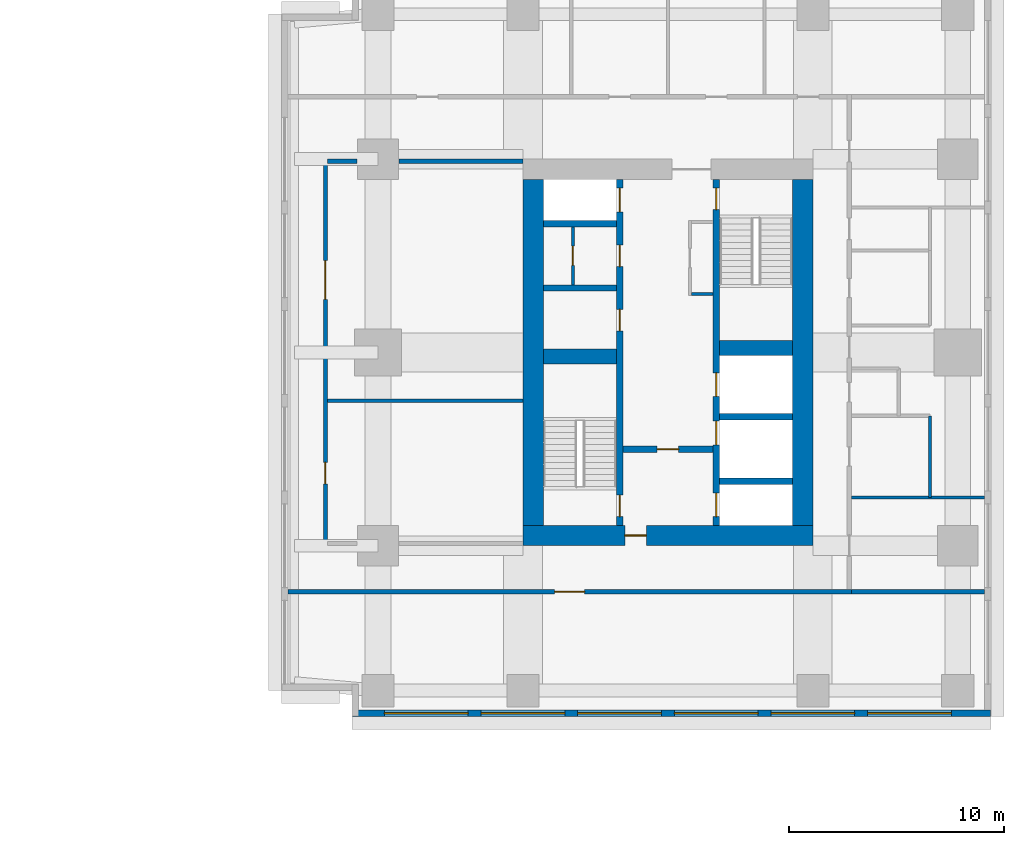
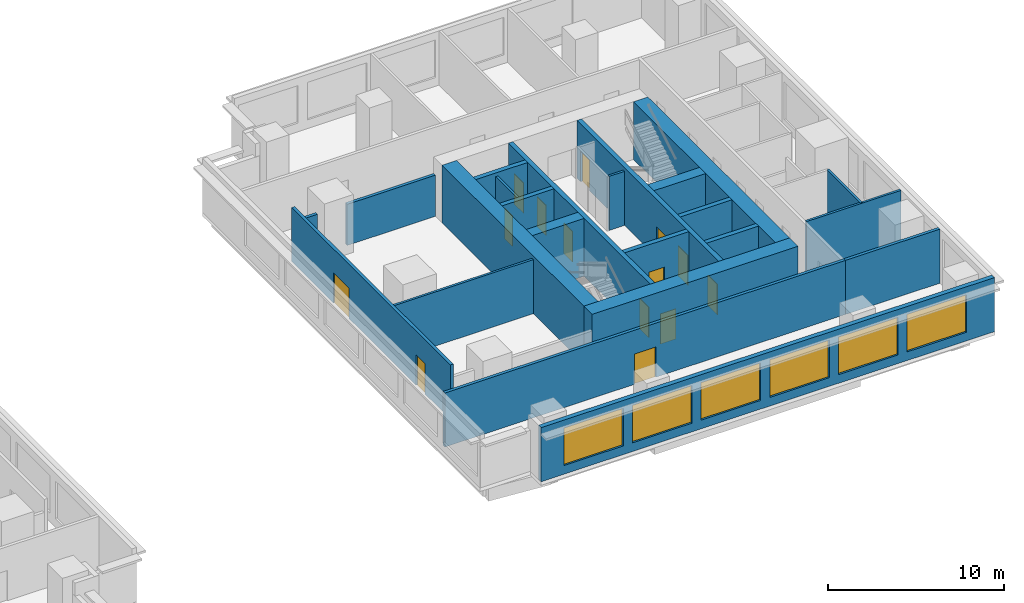
# One storey, part 6 of 10: 23 walls, 14 doors, 6 windows, 20 openings.
"""IFC4 building model written with IfcOpenShell, lengths in metres."""

from ifc_helpers import new_model, si_unit, direction, frame, frame_2d, origin, place, context, subcontext, project, spatial, rectangle, extrude, material, layer, layer_set, type_object, element, fill, save


model = new_model("IFC4")

# Units and contexts
model_context = context("Model", 3, precision=1e-05, world=origin(), true_north=direction((0.0, 1.0)))
body_context = subcontext(model_context, "Body", "Model", "MODEL_VIEW")
ifc_project = project(units=[si_unit("LENGTHUNIT", "METRE"), si_unit("AREAUNIT", "SQUARE_METRE"), si_unit("VOLUMEUNIT", "CUBIC_METRE"), si_unit("PLANEANGLEUNIT", "RADIAN"), si_unit("MASSUNIT", "GRAM", prefix="KILO")], contexts=[model_context])

# Site, building, storey
site_placement = place(None, origin())
site = spatial("IfcSite", under=ifc_project, at=site_placement, CompositionType="ELEMENT")
building_placement = place(site_placement, origin())
building = spatial("IfcBuilding", under=site, at=building_placement, Name="Namib Vertical Campus", CompositionType="ELEMENT")
storey_placement = place(building_placement, frame((0.0, 0.0, 161.0)))
storey = spatial("IfcBuildingStorey", under=building, at=storey_placement, Name="L38", CompositionType="ELEMENT", Elevation=161.0)

# Wall, openings, doors
ifc_material_1 = material(Name="Concrete C60/75", Category="concrete")
ifc_layer_1 = layer(ifc_material_1, 0.300048828125)
ifc_layer_set_1 = layer_set([ifc_layer_1], Name="Concrete C60/75")
wall_type_1 = type_object("IfcWallType", Name="Core inner wall 300", PredefinedType="SHEAR", material=ifc_layer_set_1)
wall_1_placement = place(storey_placement, frame((78.75, 12.199951171875, 0.0), z_axis=(0.0, 0.0, 1.0), x_axis=(0.0, 1.0, 0.0)))
wall_1 = element("IfcWall", 1, at=wall_1_placement, inside=storey, type_object=wall_type_1, Name="Core inner wall B L38 W1", PredefinedType="SHEAR", context=body_context, shape_type="SweptSolid", body=[
    extrude(rectangle(XDim=16.10009765625, YDim=0.300048828125, at=frame_2d((8.050048828125, 0.0))), origin(), (0.0, 0.0, 1.0), 4.0),
])
opening_1_placement = place(wall_1_placement, frame((0.39990234375, 0.0, 0.0)))
opening_1 = element("IfcOpeningElement", 2, at=opening_1_placement, cuts=wall_1, Name="Opening FD1", PredefinedType="OPENING", context=body_context, shape_type="SweptSolid", body=[
    extrude(rectangle(XDim=1.0, YDim=2.10009765625, at=frame_2d((0.5, 1.050048828125))), frame((0.0, 0.159912109375, 0.0), z_axis=(0.0, -1.0, 0.0), x_axis=(1.0, 0.0, 0.0)), (0.0, 0.0, 1.0), 0.320068359375),
])
opening_2_placement = place(wall_1_placement, frame((14.60009765625, 0.0, 0.0)))
opening_2 = element("IfcOpeningElement", 3, at=opening_2_placement, cuts=wall_1, Name="Opening LD1", PredefinedType="OPENING", context=body_context, shape_type="SweptSolid", body=[
    extrude(rectangle(XDim=1.10009765625, YDim=2.10009765625, at=frame_2d((0.550048828125, 1.050048828125))), frame((0.0, 0.159912109375, 0.0), z_axis=(0.0, -1.0, 0.0), x_axis=(1.0, 0.0, 0.0)), (0.0, 0.0, 1.0), 0.320068359375),
])
opening_3_placement = place(wall_1_placement, frame((9.050048828125, 0.0, 0.0)))
opening_3 = element("IfcOpeningElement", 4, at=opening_3_placement, cuts=wall_1, Name="Opening D1", PredefinedType="OPENING", context=body_context, shape_type="SweptSolid", body=[
    extrude(rectangle(XDim=1.0, YDim=2.10009765625, at=frame_2d((0.5, 1.050048828125))), frame((0.0, 0.159912109375, 0.0), z_axis=(0.0, -1.0, 0.0), x_axis=(1.0, 0.0, 0.0)), (0.0, 0.0, 1.0), 0.320068359375),
])
opening_4_placement = place(wall_1_placement, frame((12.050048828125, 0.0, 0.0)))
opening_4 = element("IfcOpeningElement", 5, at=opening_4_placement, cuts=wall_1, Name="Opening D1", PredefinedType="OPENING", context=body_context, shape_type="SweptSolid", body=[
    extrude(rectangle(XDim=1.0, YDim=2.10009765625, at=frame_2d((0.5, 1.050048828125))), frame((0.0, 0.159912109375, 0.0), z_axis=(0.0, -1.0, 0.0), x_axis=(1.0, 0.0, 0.0)), (0.0, 0.0, 1.0), 0.320068359375),
])
ifc_material_2 = material(Name="Timber door leaf", Category="wood")
door_type_1 = type_object("IfcDoorType", Name="Door single 1000x2100", OperationType="SINGLE_SWING_LEFT", PredefinedType="DOOR", material=ifc_material_2)
door_1_placement = place(opening_3_placement, origin())
door_1 = element("IfcDoor", 6, at=door_1_placement, inside=storey, type_object=door_type_1, Name="Door D1 Staff pantry B L38 P1", OperationType="SINGLE_SWING_LEFT", OverallHeight=2.10009765625, OverallWidth=1.0, PredefinedType="DOOR", context=body_context, shape_type="SweptSolid", body=[
    extrude(rectangle(XDim=1.0, YDim=2.10009765625, at=frame_2d((0.5, 1.050048828125))), frame((0.0, 0.02490234375, 0.0), z_axis=(0.0, -1.0, 0.0), x_axis=(1.0, 0.0, 0.0)), (0.0, 0.0, 1.0), 0.050048828125),
])
fill(opening_3, door_1)
door_2_placement = place(opening_4_placement, origin())
door_2 = element("IfcDoor", 7, at=door_2_placement, inside=storey, type_object=door_type_1, Name="Door D1 Records store B L38 P2", OperationType="SINGLE_SWING_LEFT", OverallHeight=2.10009765625, OverallWidth=1.0, PredefinedType="DOOR", context=body_context, shape_type="SweptSolid", body=[
    extrude(rectangle(XDim=1.0, YDim=2.10009765625, at=frame_2d((0.5, 1.050048828125))), frame((0.0, 0.02490234375, 0.0), z_axis=(0.0, -1.0, 0.0), x_axis=(1.0, 0.0, 0.0)), (0.0, 0.0, 1.0), 0.050048828125),
])
fill(opening_4, door_2)
ifc_material_3 = material(Name="Steel fire door", Category="steel")
door_type_2 = type_object("IfcDoorType", Name="Fire door 1000x2100", OperationType="SINGLE_SWING_RIGHT", PredefinedType="DOOR", material=ifc_material_3)
door_3_placement = place(opening_1_placement, origin())
door_3 = element("IfcDoor", 8, at=door_3_placement, inside=storey, type_object=door_type_2, Name="Stair door FD1 B L38 S1", OperationType="SINGLE_SWING_LEFT", OverallHeight=2.10009765625, OverallWidth=1.0, PredefinedType="DOOR", context=body_context, shape_type="SweptSolid", body=[
    extrude(rectangle(XDim=1.0, YDim=2.10009765625, at=frame_2d((0.5, 1.050048828125))), frame((0.0, 0.02490234375, 0.0), z_axis=(0.0, -1.0, 0.0), x_axis=(1.0, 0.0, 0.0)), (0.0, 0.0, 1.0), 0.050048828125),
])
fill(opening_1, door_3)
ifc_material_4 = material(Name="Stainless steel lift door", Category="steel")
door_type_3 = type_object("IfcDoorType", Name="Lift landing door 1100x2100", OperationType="DOUBLE_DOOR_SLIDING", PredefinedType="DOOR", material=ifc_material_4)
door_4_placement = place(opening_2_placement, origin())
door_4 = element("IfcDoor", 9, at=door_4_placement, inside=storey, type_object=door_type_3, Name="Lift landing door LD1 B-P3 L38", OperationType="DOUBLE_DOOR_SLIDING", OverallHeight=2.10009765625, OverallWidth=1.10009765625, PredefinedType="DOOR", context=body_context, shape_type="SweptSolid", body=[
    extrude(rectangle(XDim=1.10009765625, YDim=2.10009765625, at=frame_2d((0.550048828125, 1.050048828125))), frame((0.0, 0.02490234375, 0.0), z_axis=(0.0, -1.0, 0.0), x_axis=(1.0, 0.0, 0.0)), (0.0, 0.0, 1.0), 0.050048828125),
])
fill(opening_2, door_4)

wall_2_placement = place(storey_placement, frame((83.25, 12.199951171875, 0.0), z_axis=(0.0, 0.0, 1.0), x_axis=(0.0, 1.0, 0.0)))
wall_2 = element("IfcWall", 10, at=wall_2_placement, inside=storey, type_object=wall_type_1, Name="Core inner wall B L38 W2", PredefinedType="SHEAR", context=body_context, shape_type="SweptSolid", body=[
    extrude(rectangle(XDim=16.10009765625, YDim=0.300048828125, at=frame_2d((8.050048828125, 0.0))), origin(), (0.0, 0.0, 1.0), 4.0),
])
opening_5_placement = place(wall_2_placement, frame((14.699951171875, 0.0, 0.0)))
opening_5 = element("IfcOpeningElement", 11, at=opening_5_placement, cuts=wall_2, Name="Opening FD1", PredefinedType="OPENING", context=body_context, shape_type="SweptSolid", body=[
    extrude(rectangle(XDim=1.0, YDim=2.10009765625, at=frame_2d((0.5, 1.050048828125))), frame((0.0, 0.159912109375, 0.0), z_axis=(0.0, -1.0, 0.0), x_axis=(1.0, 0.0, 0.0)), (0.0, 0.0, 1.0), 0.320068359375),
])
opening_6_placement = place(wall_2_placement, frame((0.39990234375, 0.0, 0.0)))
opening_6 = element("IfcOpeningElement", 12, at=opening_6_placement, cuts=wall_2, Name="Opening LD1", PredefinedType="OPENING", context=body_context, shape_type="SweptSolid", body=[
    extrude(rectangle(XDim=1.10009765625, YDim=2.10009765625, at=frame_2d((0.550048828125, 1.050048828125))), frame((0.0, 0.159912109375, 0.0), z_axis=(0.0, -1.0, 0.0), x_axis=(1.0, 0.0, 0.0)), (0.0, 0.0, 1.0), 0.320068359375),
])
opening_7_placement = place(wall_2_placement, frame((3.75, 0.0, 0.0)))
opening_7 = element("IfcOpeningElement", 13, at=opening_7_placement, cuts=wall_2, Name="Opening LD1", PredefinedType="OPENING", context=body_context, shape_type="SweptSolid", body=[
    extrude(rectangle(XDim=1.10009765625, YDim=2.10009765625, at=frame_2d((0.550048828125, 1.050048828125))), frame((0.0, 0.159912109375, 0.0), z_axis=(0.0, -1.0, 0.0), x_axis=(1.0, 0.0, 0.0)), (0.0, 0.0, 1.0), 0.320068359375),
])
opening_8_placement = place(wall_2_placement, frame((6.0, 0.0, 0.0)))
opening_8 = element("IfcOpeningElement", 14, at=opening_8_placement, cuts=wall_2, Name="Opening LD1", PredefinedType="OPENING", context=body_context, shape_type="SweptSolid", body=[
    extrude(rectangle(XDim=1.10009765625, YDim=2.10009765625, at=frame_2d((0.550048828125, 1.050048828125))), frame((0.0, 0.159912109375, 0.0), z_axis=(0.0, -1.0, 0.0), x_axis=(1.0, 0.0, 0.0)), (0.0, 0.0, 1.0), 0.320068359375),
])
door_5_placement = place(opening_5_placement, frame((1.0, 0.0, 0.0), z_axis=(0.0, 0.0, 1.0), x_axis=(-1.0, 0.0, 0.0)))
door_5 = element("IfcDoor", 15, at=door_5_placement, inside=storey, type_object=door_type_2, Name="Stair door FD1 B L38 S2", OperationType="SINGLE_SWING_LEFT", OverallHeight=2.10009765625, OverallWidth=1.0, PredefinedType="DOOR", context=body_context, shape_type="SweptSolid", body=[
    extrude(rectangle(XDim=1.0, YDim=2.10009765625, at=frame_2d((0.5, 1.050048828125))), frame((0.0, 0.02490234375, 0.0), z_axis=(0.0, -1.0, 0.0), x_axis=(1.0, 0.0, 0.0)), (0.0, 0.0, 1.0), 0.050048828125),
])
fill(opening_5, door_5)
door_6_placement = place(opening_6_placement, origin())
door_6 = element("IfcDoor", 16, at=door_6_placement, inside=storey, type_object=door_type_3, Name="Lift landing door LD1 B-FL1 L38", OperationType="DOUBLE_DOOR_SLIDING", OverallHeight=2.10009765625, OverallWidth=1.10009765625, PredefinedType="DOOR", context=body_context, shape_type="SweptSolid", body=[
    extrude(rectangle(XDim=1.10009765625, YDim=2.10009765625, at=frame_2d((0.550048828125, 1.050048828125))), frame((0.0, 0.02490234375, 0.0), z_axis=(0.0, -1.0, 0.0), x_axis=(1.0, 0.0, 0.0)), (0.0, 0.0, 1.0), 0.050048828125),
])
fill(opening_6, door_6)
door_7_placement = place(opening_7_placement, origin())
door_7 = element("IfcDoor", 17, at=door_7_placement, inside=storey, type_object=door_type_3, Name="Lift landing door LD1 B-P4 L38", OperationType="DOUBLE_DOOR_SLIDING", OverallHeight=2.10009765625, OverallWidth=1.10009765625, PredefinedType="DOOR", context=body_context, shape_type="SweptSolid", body=[
    extrude(rectangle(XDim=1.10009765625, YDim=2.10009765625, at=frame_2d((0.550048828125, 1.050048828125))), frame((0.0, 0.02490234375, 0.0), z_axis=(0.0, -1.0, 0.0), x_axis=(1.0, 0.0, 0.0)), (0.0, 0.0, 1.0), 0.050048828125),
])
fill(opening_7, door_7)
door_8_placement = place(opening_8_placement, origin())
door_8 = element("IfcDoor", 18, at=door_8_placement, inside=storey, type_object=door_type_3, Name="Lift landing door LD1 B-P5 L38", OperationType="DOUBLE_DOOR_SLIDING", OverallHeight=2.10009765625, OverallWidth=1.10009765625, PredefinedType="DOOR", context=body_context, shape_type="SweptSolid", body=[
    extrude(rectangle(XDim=1.10009765625, YDim=2.10009765625, at=frame_2d((0.550048828125, 1.050048828125))), frame((0.0, 0.02490234375, 0.0), z_axis=(0.0, -1.0, 0.0), x_axis=(1.0, 0.0, 0.0)), (0.0, 0.0, 1.0), 0.050048828125),
])
fill(opening_8, door_8)

# Wall, opening, door
wall_3_placement = place(storey_placement, frame((78.89990234375, 15.75, 0.0), z_axis=(0.0, 0.0, 1.0), x_axis=(1.0, 0.0, 0.0)))
wall_3 = element("IfcWall", 19, at=wall_3_placement, inside=storey, type_object=wall_type_1, Name="Core inner wall B L38 W4", PredefinedType="SHEAR", context=body_context, shape_type="SweptSolid", body=[
    extrude(rectangle(XDim=4.2001953125, YDim=0.300048828125, at=frame_2d((2.10009765625, 0.0))), origin(), (0.0, 0.0, 1.0), 4.0),
])
opening_9_placement = place(wall_3_placement, frame((1.60009765625, 0.0, 0.0)))
opening_9 = element("IfcOpeningElement", 20, at=opening_9_placement, cuts=wall_3, Name="Opening FD5", PredefinedType="OPENING", context=body_context, shape_type="SweptSolid", body=[
    extrude(rectangle(XDim=1.0, YDim=2.10009765625, at=frame_2d((0.5, 1.050048828125))), frame((0.0, 0.159912109375, 0.0), z_axis=(0.0, -1.0, 0.0), x_axis=(1.0, 0.0, 0.0)), (0.0, 0.0, 1.0), 0.320068359375),
])
ifc_material_5 = material(Name="Steel fire door", Category="steel")
door_type_4 = type_object("IfcDoorType", Name="Fire door 1000x2100 120 min", OperationType="SINGLE_SWING_RIGHT", PredefinedType="DOOR", material=ifc_material_5)
door_9_placement = place(opening_9_placement, frame((1.0, 0.0, 0.0), z_axis=(0.0, 0.0, 1.0), x_axis=(-1.0, 0.0, 0.0)))
door_9 = element("IfcDoor", 21, at=door_9_placement, inside=storey, type_object=door_type_4, Name="Lobby door FD5 B L38", OperationType="SINGLE_SWING_RIGHT", OverallHeight=2.10009765625, OverallWidth=1.0, PredefinedType="DOOR", context=body_context, shape_type="SweptSolid", body=[
    extrude(rectangle(XDim=1.0, YDim=2.10009765625, at=frame_2d((0.5, 1.050048828125))), frame((0.0, 0.02490234375, 0.0), z_axis=(0.0, -1.0, 0.0), x_axis=(1.0, 0.0, 0.0)), (0.0, 0.0, 1.0), 0.050048828125),
])
fill(opening_9, door_9)

# Walls
for number, where, z_axis, x_axis, name in (
    (22, (83.39990234375, 14.25, 0.0), (0.0, 0.0, 1.0), (1.0, 0.0, 0.0), "Core inner wall B L38 W5"),
    (23, (83.39990234375, 17.25, 0.0), (0.0, 0.0, 1.0), (1.0, 0.0, 0.0), "Core inner wall B L38 W6"),
    (24, (75.199951171875, 23.25, 0.0), (0.0, 0.0, 1.0), (1.0, 0.0, 0.0), "Core inner wall B L38 W8"),
    (25, (75.199951171875, 26.25, 0.0), (0.0, 0.0, 1.0), (1.0, 0.0, 0.0), "Core inner wall B L38 W9"),
):
    element("IfcWall", number, at=place(storey_placement, frame(where, z_axis=z_axis, x_axis=x_axis)), inside=storey, type_object=wall_type_1, Name=name, PredefinedType="SHEAR", context=body_context, shape_type="SweptSolid", body=[
        extrude(rectangle(XDim=3.400146484375, YDim=0.300048828125, at=frame_2d((1.7001953125, 0.0))), origin(), (0.0, 0.0, 1.0), 4.0),
    ])
ifc_material_6 = material(Name="Concrete C60/75", Category="concrete")
ifc_layer_2 = layer(ifc_material_6, 0.699951171875)
ifc_layer_set_2 = layer_set([ifc_layer_2], Name="Concrete C60/75")
wall_type_2 = type_object("IfcWallType", Name="Core shear wall 700", PredefinedType="SHEAR", material=ifc_layer_set_2)
for number, where, z_axis, x_axis, name in (
    (26, (75.199951171875, 20.050048828125, 0.0), (0.0, 0.0, 1.0), (1.0, 0.0, 0.0), "Core shear wall B L38 W3"),
    (27, (83.39990234375, 20.449951171875, 0.0), (0.0, 0.0, 1.0), (1.0, 0.0, 0.0), "Core shear wall B L38 W7"),
):
    element("IfcWall", number, at=place(storey_placement, frame(where, z_axis=z_axis, x_axis=x_axis)), inside=storey, type_object=wall_type_2, Name=name, PredefinedType="SHEAR", context=body_context, shape_type="SweptSolid", body=[
        extrude(rectangle(XDim=3.400146484375, YDim=0.699951171875, at=frame_2d((1.7001953125, 0.0))), origin(), (0.0, 0.0, 1.0), 4.0),
    ])

# Wall, opening, door
ifc_material_7 = material(Name="Concrete C60/75", Category="concrete")
ifc_layer_3 = layer(ifc_material_7, 0.949951171875)
ifc_layer_set_3 = layer_set([ifc_layer_3], Name="Concrete C60/75")
wall_type_3 = type_object("IfcWallType", Name="Core wall 950", PredefinedType="SHEAR", material=ifc_layer_set_3)
wall_4_placement = place(storey_placement, frame((74.25, 11.72509765625, 0.0), z_axis=(0.0, 0.0, 1.0), x_axis=(1.0, 0.0, 0.0)))
wall_4 = element("IfcWall", 28, at=wall_4_placement, inside=storey, type_object=wall_type_3, Name="Core wall B L38 1", PredefinedType="SHEAR", context=body_context, shape_type="SweptSolid", body=[
    extrude(rectangle(XDim=13.5, YDim=0.949951171875, at=frame_2d((6.75, 0.0))), origin(), (0.0, 0.0, 1.0), 4.0),
])
opening_10_placement = place(wall_4_placement, frame((4.75, 0.0, 0.0)))
opening_10 = element("IfcOpeningElement", 29, at=opening_10_placement, cuts=wall_4, Name="Opening FD5", PredefinedType="OPENING", context=body_context, shape_type="SweptSolid", body=[
    extrude(rectangle(XDim=1.0, YDim=2.10009765625, at=frame_2d((0.5, 1.050048828125))), frame((0.0, 0.48486328125, 0.0), z_axis=(0.0, -1.0, 0.0), x_axis=(1.0, 0.0, 0.0)), (0.0, 0.0, 1.0), 0.969970703125),
])
door_10_placement = place(opening_10_placement, origin())
door_10 = element("IfcDoor", 30, at=door_10_placement, inside=storey, type_object=door_type_4, Name="Firefighting lobby door FD5 B L38", OperationType="SINGLE_SWING_LEFT", OverallHeight=2.10009765625, OverallWidth=1.0, PredefinedType="DOOR", context=body_context, shape_type="SweptSolid", body=[
    extrude(rectangle(XDim=1.0, YDim=2.10009765625, at=frame_2d((0.5, 1.050048828125))), frame((0.0, 0.02490234375, 0.0), z_axis=(0.0, -1.0, 0.0), x_axis=(1.0, 0.0, 0.0)), (0.0, 0.0, 1.0), 0.050048828125),
])
fill(opening_10, door_10)

# Walls
for number, where, z_axis, x_axis, name in (
    (31, (87.27490234375, 12.199951171875, 0.0), (0.0, 0.0, 1.0), (0.0, 1.0, 0.0), "Core wall B L38 2"),
    (32, (74.72509765625, 28.300048828125, 0.0), (0.0, 0.0, 1.0), (0.0, -1.0, 0.0), "Core wall B L38 4"),
):
    element("IfcWall", number, at=place(storey_placement, frame(where, z_axis=z_axis, x_axis=x_axis)), inside=storey, type_object=wall_type_3, Name=name, PredefinedType="SHEAR", context=body_context, shape_type="SweptSolid", body=[
        extrude(rectangle(XDim=16.10009765625, YDim=0.949951171875, at=frame_2d((8.050048828125, 0.0))), origin(), (0.0, 0.0, 1.0), 4.0),
    ])

# Wall, opening, door
ifc_material_8 = material(Name="Concrete masonry", Category="masonry")
ifc_layer_4 = layer(ifc_material_8, 0.199951171875)
ifc_layer_set_4 = layer_set([ifc_layer_4], Name="Corridor wall 200")
wall_type_4 = type_object("IfcWallType", Name="Corridor wall 200", PredefinedType="SOLIDWALL", material=ifc_layer_set_4)
wall_5_placement = place(storey_placement, frame((63.300048828125, 9.10009765625, 0.0), z_axis=(0.0, 0.0, 1.0), x_axis=(1.0, 0.0, 0.0)))
wall_5 = element("IfcWall", 33, at=wall_5_placement, inside=storey, type_object=wall_type_4, Name="Corridor wall B L38 CS", PredefinedType="SOLIDWALL", context=body_context, shape_type="SweptSolid", body=[
    extrude(rectangle(XDim=26.25, YDim=0.199951171875, at=frame_2d((13.125, 0.0))), origin(), (0.0, 0.0, 1.0), 3.75),
])
opening_11_placement = place(wall_5_placement, frame((12.425048828125, 0.0, 0.0)))
opening_11 = element("IfcOpeningElement", 34, at=opening_11_placement, cuts=wall_5, Name="Opening LB1", PredefinedType="OPENING", context=body_context, shape_type="SweptSolid", body=[
    extrude(rectangle(XDim=1.39990234375, YDim=2.10009765625, at=frame_2d((0.699951171875, 1.050048828125))), frame((0.0, 0.10986328125, 0.0), z_axis=(0.0, -1.0, 0.0), x_axis=(1.0, 0.0, 0.0)), (0.0, 0.0, 1.0), 0.219970703125),
])
ifc_material_9 = material(Name="Timber fire door leaf", Category="wood")
door_type_5 = type_object("IfcDoorType", Name="Laboratory door 1400x2100 leaf and a half", OperationType="DOUBLE_DOOR_SINGLE_SWING", PredefinedType="DOOR", material=ifc_material_9)
door_11_placement = place(opening_11_placement, frame((1.39990234375, 0.0, 0.0), z_axis=(0.0, 0.0, 1.0), x_axis=(-1.0, 0.0, 0.0)))
door_11 = element("IfcDoor", 35, at=door_11_placement, inside=storey, type_object=door_type_5, Name="Door LB1 B38-01", OperationType="DOUBLE_DOOR_SINGLE_SWING", OverallHeight=2.10009765625, OverallWidth=1.39990234375, PredefinedType="DOOR", context=body_context, shape_type="SweptSolid", body=[
    extrude(rectangle(XDim=1.39990234375, YDim=2.10009765625, at=frame_2d((0.699951171875, 1.050048828125))), frame((0.0, 0.02490234375, 0.0), z_axis=(0.0, -1.0, 0.0), x_axis=(1.0, 0.0, 0.0)), (0.0, 0.0, 1.0), 0.050048828125),
])
fill(opening_11, door_11)

# Wall, openings, doors
wall_6_placement = place(storey_placement, frame((65.050048828125, 29.25, 0.0), z_axis=(0.0, 0.0, 1.0), x_axis=(0.0, -1.0, 0.0)))
wall_6 = element("IfcWall", 36, at=wall_6_placement, inside=storey, type_object=wall_type_4, Name="Corridor wall B L38 CG", PredefinedType="SOLIDWALL", context=body_context, shape_type="SweptSolid", body=[
    extrude(rectangle(XDim=18.0, YDim=0.199951171875, at=frame_2d((9.0, 0.0))), origin(), (0.0, 0.0, 1.0), 3.75),
])
opening_12_placement = place(wall_6_placement, frame((14.125, 0.0, 0.0)))
opening_12 = element("IfcOpeningElement", 37, at=opening_12_placement, cuts=wall_6, Name="Opening CD1", PredefinedType="OPENING", context=body_context, shape_type="SweptSolid", body=[
    extrude(rectangle(XDim=1.0, YDim=2.10009765625, at=frame_2d((0.5, 1.050048828125))), frame((0.0, 0.10986328125, 0.0), z_axis=(0.0, -1.0, 0.0), x_axis=(1.0, 0.0, 0.0)), (0.0, 0.0, 1.0), 0.219970703125),
])
opening_13_placement = place(wall_6_placement, frame((4.72509765625, 0.0, 0.0)))
opening_13 = element("IfcOpeningElement", 38, at=opening_13_placement, cuts=wall_6, Name="Opening CD2", PredefinedType="OPENING", context=body_context, shape_type="SweptSolid", body=[
    extrude(rectangle(XDim=1.800048828125, YDim=2.10009765625, at=frame_2d((0.89990234375, 1.050048828125))), frame((0.0, 0.10986328125, 0.0), z_axis=(0.0, -1.0, 0.0), x_axis=(1.0, 0.0, 0.0)), (0.0, 0.0, 1.0), 0.219970703125),
])
ifc_material_10 = material(Name="Timber fire door leaf", Category="wood")
door_type_6 = type_object("IfcDoorType", Name="Corridor door 1000x2100 20 min", OperationType="SINGLE_SWING_LEFT", PredefinedType="DOOR", material=ifc_material_10)
door_12_placement = place(opening_12_placement, origin())
door_12 = element("IfcDoor", 39, at=door_12_placement, inside=storey, type_object=door_type_6, Name="Door CD1 B38-13", OperationType="SINGLE_SWING_LEFT", OverallHeight=2.10009765625, OverallWidth=1.0, PredefinedType="DOOR", context=body_context, shape_type="SweptSolid", body=[
    extrude(rectangle(XDim=1.0, YDim=2.10009765625, at=frame_2d((0.5, 1.050048828125))), frame((0.0, 0.02490234375, 0.0), z_axis=(0.0, -1.0, 0.0), x_axis=(1.0, 0.0, 0.0)), (0.0, 0.0, 1.0), 0.050048828125),
])
fill(opening_12, door_12)
ifc_material_11 = material(Name="Timber fire door leaf", Category="wood")
door_type_7 = type_object("IfcDoorType", Name="Corridor door double 1800x2100 20 min", OperationType="DOUBLE_DOOR_SINGLE_SWING", PredefinedType="DOOR", material=ifc_material_11)
door_13_placement = place(opening_13_placement, origin())
door_13 = element("IfcDoor", 40, at=door_13_placement, inside=storey, type_object=door_type_7, Name="Door CD2 B38-14", OperationType="DOUBLE_DOOR_SINGLE_SWING", OverallHeight=2.10009765625, OverallWidth=1.800048828125, PredefinedType="DOOR", context=body_context, shape_type="SweptSolid", body=[
    extrude(rectangle(XDim=1.800048828125, YDim=2.10009765625, at=frame_2d((0.89990234375, 1.050048828125))), frame((0.0, 0.02490234375, 0.0), z_axis=(0.0, -1.0, 0.0), x_axis=(1.0, 0.0, 0.0)), (0.0, 0.0, 1.0), 0.050048828125),
])
fill(opening_13, door_13)

# Walls
wall_7_placement = place(storey_placement, frame((65.14990234375, 29.14990234375, 0.0), z_axis=(0.0, 0.0, 1.0), x_axis=(1.0, 0.0, 0.0)))
element("IfcWall", 41, at=wall_7_placement, inside=storey, type_object=wall_type_4, Name="Corridor wall B L38 GN", PredefinedType="SOLIDWALL", context=body_context, shape_type="SweptSolid", body=[
    extrude(rectangle(XDim=1.380126953125, YDim=0.199951171875, at=frame_2d((0.68994140625, 0.0))), origin(), (0.0, 0.0, 1.0), 2.85009765625),
])
wall_8_placement = place(storey_placement, frame((68.469970703125, 29.14990234375, 0.0), z_axis=(0.0, 0.0, 1.0), x_axis=(1.0, 0.0, 0.0)))
element("IfcWall", 42, at=wall_8_placement, inside=storey, type_object=wall_type_4, Name="Corridor wall B L38 GN", PredefinedType="SOLIDWALL", context=body_context, shape_type="SweptSolid", body=[
    extrude(rectangle(XDim=5.780029296875, YDim=0.199951171875, at=frame_2d((2.89013671875, 0.0))), origin(), (0.0, 0.0, 1.0), 2.85009765625),
])
wall_9_placement = place(storey_placement, frame((89.550048828125, 9.10009765625, 0.0), z_axis=(0.0, 0.0, 1.0), x_axis=(1.0, 0.0, 0.0)))
element("IfcWall", 43, at=wall_9_placement, inside=storey, type_object=wall_type_4, Name="Partition B L38 BSE", PredefinedType="SOLIDWALL", context=body_context, shape_type="SweptSolid", body=[
    extrude(rectangle(XDim=6.199951171875, YDim=0.199951171875, at=frame_2d((3.10009765625, 0.0))), origin(), (0.0, 0.0, 1.0), 3.75),
])

# Wall, openings, windows
ifc_material_12 = material(Name="Concrete C40/50", Category="concrete")
ifc_layer_5 = layer(ifc_material_12, 0.300048828125)
ifc_layer_set_5 = layer_set([ifc_layer_5], Name="Concrete C40/50")
wall_type_5 = type_object("IfcWallType", Name="External wall 300 board-marked concrete", PredefinedType="STANDARD", material=ifc_layer_set_5)
wall_10_placement = place(storey_placement, frame((66.320068359375, 3.449951171875, 0.0), z_axis=(0.0, 0.0, 1.0), x_axis=(1.0, 0.0, 0.0)))
wall_10 = element("IfcWall", 44, at=wall_10_placement, inside=storey, type_object=wall_type_5, Name="External wall L38 F03", PredefinedType="STANDARD", context=body_context, shape_type="SweptSolid", body=[
    extrude(rectangle(XDim=29.7099609375, YDim=0.300048828125, at=frame_2d((14.85498046875, 0.0))), origin(), (0.0, 0.0, 1.0), 3.75),
])
opening_14_placement = place(wall_10_placement, frame((1.47998046875, 0.0, 0.60009765625)))
opening_14 = element("IfcOpeningElement", 45, at=opening_14_placement, cuts=wall_10, Name="Opening W2", PredefinedType="OPENING", context=body_context, shape_type="SweptSolid", body=[
    extrude(rectangle(XDim=3.89990234375, YDim=2.60009765625, at=frame_2d((1.949951171875, 1.300048828125))), frame((0.0, 0.159912109375, 0.0), z_axis=(0.0, -1.0, 0.0), x_axis=(1.0, 0.0, 0.0)), (0.0, 0.0, 1.0), 0.320068359375),
])
opening_15_placement = place(wall_10_placement, frame((5.97998046875, 0.0, 0.60009765625)))
opening_15 = element("IfcOpeningElement", 46, at=opening_15_placement, cuts=wall_10, Name="Opening W2", PredefinedType="OPENING", context=body_context, shape_type="SweptSolid", body=[
    extrude(rectangle(XDim=3.89990234375, YDim=2.60009765625, at=frame_2d((1.949951171875, 1.300048828125))), frame((0.0, 0.159912109375, 0.0), z_axis=(0.0, -1.0, 0.0), x_axis=(1.0, 0.0, 0.0)), (0.0, 0.0, 1.0), 0.320068359375),
])
opening_16_placement = place(wall_10_placement, frame((10.47998046875, 0.0, 0.60009765625)))
opening_16 = element("IfcOpeningElement", 47, at=opening_16_placement, cuts=wall_10, Name="Opening W2", PredefinedType="OPENING", context=body_context, shape_type="SweptSolid", body=[
    extrude(rectangle(XDim=3.89990234375, YDim=2.60009765625, at=frame_2d((1.949951171875, 1.300048828125))), frame((0.0, 0.159912109375, 0.0), z_axis=(0.0, -1.0, 0.0), x_axis=(1.0, 0.0, 0.0)), (0.0, 0.0, 1.0), 0.320068359375),
])
opening_17_placement = place(wall_10_placement, frame((14.97998046875, 0.0, 0.60009765625)))
opening_17 = element("IfcOpeningElement", 48, at=opening_17_placement, cuts=wall_10, Name="Opening W2", PredefinedType="OPENING", context=body_context, shape_type="SweptSolid", body=[
    extrude(rectangle(XDim=3.89990234375, YDim=2.60009765625, at=frame_2d((1.949951171875, 1.300048828125))), frame((0.0, 0.159912109375, 0.0), z_axis=(0.0, -1.0, 0.0), x_axis=(1.0, 0.0, 0.0)), (0.0, 0.0, 1.0), 0.320068359375),
])
opening_18_placement = place(wall_10_placement, frame((19.47998046875, 0.0, 0.60009765625)))
opening_18 = element("IfcOpeningElement", 49, at=opening_18_placement, cuts=wall_10, Name="Opening W2", PredefinedType="OPENING", context=body_context, shape_type="SweptSolid", body=[
    extrude(rectangle(XDim=3.89990234375, YDim=2.60009765625, at=frame_2d((1.949951171875, 1.300048828125))), frame((0.0, 0.159912109375, 0.0), z_axis=(0.0, -1.0, 0.0), x_axis=(1.0, 0.0, 0.0)), (0.0, 0.0, 1.0), 0.320068359375),
])
opening_19_placement = place(wall_10_placement, frame((23.97998046875, 0.0, 0.60009765625)))
opening_19 = element("IfcOpeningElement", 50, at=opening_19_placement, cuts=wall_10, Name="Opening W2", PredefinedType="OPENING", context=body_context, shape_type="SweptSolid", body=[
    extrude(rectangle(XDim=3.89990234375, YDim=2.60009765625, at=frame_2d((1.949951171875, 1.300048828125))), frame((0.0, 0.159912109375, 0.0), z_axis=(0.0, -1.0, 0.0), x_axis=(1.0, 0.0, 0.0)), (0.0, 0.0, 1.0), 0.320068359375),
])
ifc_material_13 = material(Name="Dark tinted glass in black aluminium frame", Category="aluminium")
window_type = type_object("IfcWindowType", Name="Ribbon window 3900x2600", PartitioningType="SINGLE_PANEL", PredefinedType="WINDOW", material=ifc_material_13)
window_1_placement = place(opening_14_placement, origin())
window_1 = element("IfcWindow", 51, at=window_1_placement, inside=storey, type_object=window_type, Name="Window W2 L38 F03-1", OverallHeight=2.60009765625, OverallWidth=3.89990234375, PartitioningType="SINGLE_PANEL", PredefinedType="WINDOW", context=body_context, shape_type="SweptSolid", body=[
    extrude(rectangle(XDim=3.89990234375, YDim=2.60009765625, at=frame_2d((1.949951171875, 1.300048828125))), frame((0.0, 0.030029296875, 0.0), z_axis=(0.0, -1.0, 0.0), x_axis=(1.0, 0.0, 0.0)), (0.0, 0.0, 1.0), 0.06005859375),
])
fill(opening_14, window_1)
window_2_placement = place(opening_15_placement, origin())
window_2 = element("IfcWindow", 52, at=window_2_placement, inside=storey, type_object=window_type, Name="Window W2 L38 F03-2", OverallHeight=2.60009765625, OverallWidth=3.89990234375, PartitioningType="SINGLE_PANEL", PredefinedType="WINDOW", context=body_context, shape_type="SweptSolid", body=[
    extrude(rectangle(XDim=3.89990234375, YDim=2.60009765625, at=frame_2d((1.949951171875, 1.300048828125))), frame((0.0, 0.030029296875, 0.0), z_axis=(0.0, -1.0, 0.0), x_axis=(1.0, 0.0, 0.0)), (0.0, 0.0, 1.0), 0.06005859375),
])
fill(opening_15, window_2)
window_3_placement = place(opening_16_placement, origin())
window_3 = element("IfcWindow", 53, at=window_3_placement, inside=storey, type_object=window_type, Name="Window W2 L38 F03-3", OverallHeight=2.60009765625, OverallWidth=3.89990234375, PartitioningType="SINGLE_PANEL", PredefinedType="WINDOW", context=body_context, shape_type="SweptSolid", body=[
    extrude(rectangle(XDim=3.89990234375, YDim=2.60009765625, at=frame_2d((1.949951171875, 1.300048828125))), frame((0.0, 0.030029296875, 0.0), z_axis=(0.0, -1.0, 0.0), x_axis=(1.0, 0.0, 0.0)), (0.0, 0.0, 1.0), 0.06005859375),
])
fill(opening_16, window_3)
window_4_placement = place(opening_17_placement, origin())
window_4 = element("IfcWindow", 54, at=window_4_placement, inside=storey, type_object=window_type, Name="Window W2 L38 F03-4", OverallHeight=2.60009765625, OverallWidth=3.89990234375, PartitioningType="SINGLE_PANEL", PredefinedType="WINDOW", context=body_context, shape_type="SweptSolid", body=[
    extrude(rectangle(XDim=3.89990234375, YDim=2.60009765625, at=frame_2d((1.949951171875, 1.300048828125))), frame((0.0, 0.030029296875, 0.0), z_axis=(0.0, -1.0, 0.0), x_axis=(1.0, 0.0, 0.0)), (0.0, 0.0, 1.0), 0.06005859375),
])
fill(opening_17, window_4)
window_5_placement = place(opening_18_placement, origin())
window_5 = element("IfcWindow", 55, at=window_5_placement, inside=storey, type_object=window_type, Name="Window W2 L38 F03-5", OverallHeight=2.60009765625, OverallWidth=3.89990234375, PartitioningType="SINGLE_PANEL", PredefinedType="WINDOW", context=body_context, shape_type="SweptSolid", body=[
    extrude(rectangle(XDim=3.89990234375, YDim=2.60009765625, at=frame_2d((1.949951171875, 1.300048828125))), frame((0.0, 0.030029296875, 0.0), z_axis=(0.0, -1.0, 0.0), x_axis=(1.0, 0.0, 0.0)), (0.0, 0.0, 1.0), 0.06005859375),
])
fill(opening_18, window_5)
window_6_placement = place(opening_19_placement, origin())
window_6 = element("IfcWindow", 56, at=window_6_placement, inside=storey, type_object=window_type, Name="Window W2 L38 F03-6", OverallHeight=2.60009765625, OverallWidth=3.89990234375, PartitioningType="SINGLE_PANEL", PredefinedType="WINDOW", context=body_context, shape_type="SweptSolid", body=[
    extrude(rectangle(XDim=3.89990234375, YDim=2.60009765625, at=frame_2d((1.949951171875, 1.300048828125))), frame((0.0, 0.030029296875, 0.0), z_axis=(0.0, -1.0, 0.0), x_axis=(1.0, 0.0, 0.0)), (0.0, 0.0, 1.0), 0.06005859375),
])
fill(opening_19, window_6)

# Wall
ifc_material_14 = material(Name="Gypsum board on steel studs", Category="steel")
ifc_layer_6 = layer(ifc_material_14, 0.14990234375)
ifc_layer_set_6 = layer_set([ifc_layer_6], Name="Gypsum board on steel studs")
wall_type_6 = type_object("IfcWallType", Name="Partition 150", PredefinedType="PARTITIONING", material=ifc_layer_set_6)
wall_11_placement = place(storey_placement, frame((82.10009765625, 22.97509765625, 0.0), z_axis=(0.0, 0.0, 1.0), x_axis=(1.0, 0.0, 0.0)))
element("IfcWall", 57, at=wall_11_placement, inside=storey, type_object=wall_type_6, Name="Partition B L38 Staff pantry end 1", PredefinedType="PARTITIONING", context=body_context, shape_type="SweptSolid", body=[
    extrude(rectangle(XDim=1.0, YDim=0.14990234375, at=frame_2d((0.5, 0.0))), origin(), (0.0, 0.0, 1.0), 3.75),
])

# Wall, opening, door
wall_12_placement = place(storey_placement, frame((76.574951171875, 23.39990234375, 0.0), z_axis=(0.0, 0.0, 1.0), x_axis=(0.0, 1.0, 0.0)))
wall_12 = element("IfcWall", 58, at=wall_12_placement, inside=storey, type_object=wall_type_6, Name="Partition B L38 Records store P2 back", PredefinedType="PARTITIONING", context=body_context, shape_type="SweptSolid", body=[
    extrude(rectangle(XDim=2.7001953125, YDim=0.14990234375, at=frame_2d((1.35009765625, 0.0))), origin(), (0.0, 0.0, 1.0), 3.75),
])
opening_20_placement = place(wall_12_placement, frame((0.89990234375, 0.0, 0.0)))
opening_20 = element("IfcOpeningElement", 59, at=opening_20_placement, cuts=wall_12, Name="Opening D3", PredefinedType="OPENING", context=body_context, shape_type="SweptSolid", body=[
    extrude(rectangle(XDim=0.89990234375, YDim=2.10009765625, at=frame_2d((0.449951171875, 1.050048828125))), frame((0.0, 0.0849609375, 0.0), z_axis=(0.0, -1.0, 0.0), x_axis=(1.0, 0.0, 0.0)), (0.0, 0.0, 1.0), 0.169921875),
])
ifc_material_15 = material(Name="Timber door leaf", Category="wood")
door_type_8 = type_object("IfcDoorType", Name="Toilet door 900x2100", OperationType="SINGLE_SWING_LEFT", PredefinedType="DOOR", material=ifc_material_15)
door_14_placement = place(opening_20_placement, origin())
door_14 = element("IfcDoor", 60, at=door_14_placement, inside=storey, type_object=door_type_8, Name="Door D3 Store B L38 P2", OperationType="SINGLE_SWING_LEFT", OverallHeight=2.10009765625, OverallWidth=0.89990234375, PredefinedType="DOOR", context=body_context, shape_type="SweptSolid", body=[
    extrude(rectangle(XDim=0.89990234375, YDim=2.10009765625, at=frame_2d((0.449951171875, 1.050048828125))), frame((0.0, 0.02490234375, 0.0), z_axis=(0.0, -1.0, 0.0), x_axis=(1.0, 0.0, 0.0)), (0.0, 0.0, 1.0), 0.050048828125),
])
fill(opening_20, door_14)

# Walls
wall_13_placement = place(storey_placement, frame((89.550048828125, 13.5, 0.0), z_axis=(0.0, 0.0, 1.0), x_axis=(1.0, 0.0, 0.0)))
element("IfcWall", 61, at=wall_13_placement, inside=storey, type_object=wall_type_6, Name="Partition B L38 PE1", PredefinedType="PARTITIONING", context=body_context, shape_type="SweptSolid", body=[
    extrude(rectangle(XDim=6.199951171875, YDim=0.14990234375, at=frame_2d((3.10009765625, 0.0))), origin(), (0.0, 0.0, 1.0), 3.75),
])
wall_14_placement = place(storey_placement, frame((65.14990234375, 18.0, 0.0), z_axis=(0.0, 0.0, 1.0), x_axis=(1.0, 0.0, 0.0)))
element("IfcWall", 62, at=wall_14_placement, inside=storey, type_object=wall_type_6, Name="Partition B L38 PW1", PredefinedType="PARTITIONING", context=body_context, shape_type="SweptSolid", body=[
    extrude(rectangle(XDim=9.10009765625, YDim=0.14990234375, at=frame_2d((4.550048828125, 0.0))), origin(), (0.0, 0.0, 1.0), 3.75),
])
wall_15_placement = place(storey_placement, frame((93.199951171875, 13.5, 0.0), z_axis=(0.0, 0.0, 1.0), x_axis=(0.0, 1.0, 0.0)))
element("IfcWall", 63, at=wall_15_placement, inside=storey, type_object=wall_type_6, Name="Partition B L38 WB1", PredefinedType="PARTITIONING", context=body_context, shape_type="SweptSolid", body=[
    extrude(rectangle(XDim=3.800048828125, YDim=0.14990234375, at=frame_2d((1.89990234375, 0.0))), origin(), (0.0, 0.0, 1.0), 3.75),
])

save(model, "model.ifc")
